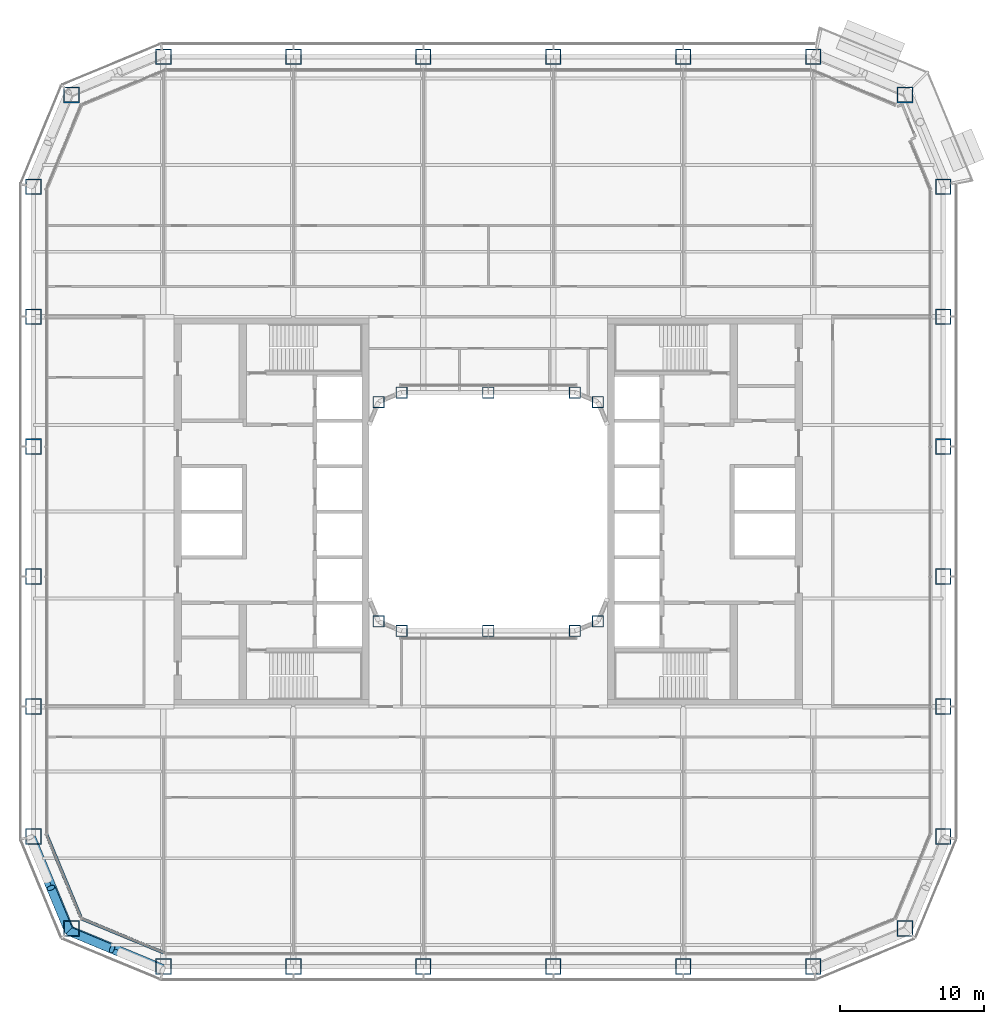
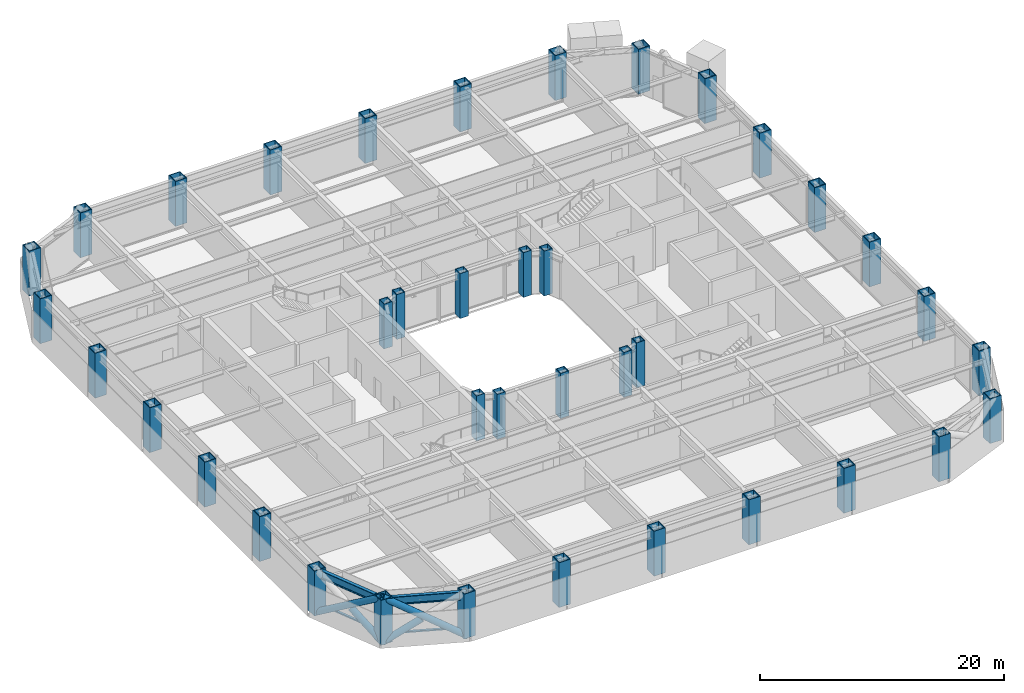
# One storey, part 1 of 30: 38 columns, 6 members, 2 beams, 2 elements without a shape of their own.
"""IFC4 building model written with IfcOpenShell, lengths in metres."""

from ifc_helpers import new_model, si_unit, direction, frame, origin, origin_2d, place, context, subcontext, project, spatial, rectangle, hollow_rectangle, hollow_circle, i_section, extrude, material, layer, layer_set, material_profile, profile_set, type_object, element, aggregate, save


model = new_model("IFC4")

# Units and contexts
model_context = context("Model", 3, precision=1e-05, world=origin(), true_north=direction((0.0, 1.0)))
body_context = subcontext(model_context, "Body", "Model", "MODEL_VIEW")
ifc_project = project(units=[si_unit("LENGTHUNIT", "METRE"), si_unit("AREAUNIT", "SQUARE_METRE"), si_unit("VOLUMEUNIT", "CUBIC_METRE"), si_unit("PLANEANGLEUNIT", "RADIAN"), si_unit("MASSUNIT", "GRAM", prefix="KILO")], contexts=[model_context])

# Site, building, storey
site_placement = place(None, origin())
site = spatial("IfcSite", under=ifc_project, at=site_placement, CompositionType="ELEMENT")
building_placement = place(site_placement, origin())
building = spatial("IfcBuilding", under=site, at=building_placement, Name="Siwar Civic Tower", CompositionType="ELEMENT")
storey_placement = place(building_placement, frame((0.0, 0.0, 26.699951171875)))
storey = spatial("IfcBuildingStorey", under=building, at=storey_placement, Name="L05", CompositionType="ELEMENT", Elevation=26.699951171875)

# Columns
ifc_material_1 = material(Name="Steel S460", Category="steel")
ifc_material_profile_1 = material_profile(ifc_material_1, hollow_rectangle(XDim=1.10009765625, YDim=1.10009765625, WallThickness=0.070068359375, at=origin_2d()), Name="BOX1100x1100x70")
ifc_profile_set_1 = profile_set([ifc_material_profile_1], Name="Steel S460")
column_type_1 = type_object("IfcColumnType", Name="STR-COL-BOX1100x1100x70", PredefinedType="COLUMN", material=ifc_profile_set_1)
for number, where, z_axis, x_axis, name in (
    (1, (-22.5, -31.5, 0.0), (0.0, 0.0, 1.0), (1.0, 0.0, 0.0), "L05/col/S-0"),
    (2, (-13.5, -31.5, 0.0), (0.0, 0.0, 1.0), (1.0, 0.0, 0.0), "L05/col/S-1"),
    (3, (-4.5, -31.5, 0.0), (0.0, 0.0, 1.0), (1.0, 0.0, 0.0), "L05/col/S-2"),
    (4, (4.5, -31.5, 0.0), (0.0, 0.0, 1.0), (1.0, 0.0, 0.0), "L05/col/S-3"),
    (5, (13.5, -31.5, 0.0), (0.0, 0.0, 1.0), (1.0, 0.0, 0.0), "L05/col/S-4"),
    (6, (22.5, -31.5, 0.0), (0.0, 0.0, 1.0), (1.0, 0.0, 0.0), "L05/col/SE1-0"),
    (7, (28.864013671875, -28.864013671875, 0.0), (0.0, 0.0, 1.0), (1.0, 0.0, 0.0), "L05/col/SE2-0"),
    (8, (31.5, -22.5, 0.0), (0.0, 0.0, 1.0), (1.0, 0.0, 0.0), "L05/col/E-0"),
    (9, (31.5, -13.5, 0.0), (0.0, 0.0, 1.0), (1.0, 0.0, 0.0), "L05/col/E-1"),
    (10, (31.5, -4.5, 0.0), (0.0, 0.0, 1.0), (1.0, 0.0, 0.0), "L05/col/E-2"),
    (11, (31.5, 4.5, 0.0), (0.0, 0.0, 1.0), (1.0, 0.0, 0.0), "L05/col/E-3"),
    (12, (31.5, 13.5, 0.0), (0.0, 0.0, 1.0), (1.0, 0.0, 0.0), "L05/col/E-4"),
    (13, (31.5, 22.5, 0.0), (0.0, 0.0, 1.0), (1.0, 0.0, 0.0), "L05/col/NE1-0"),
    (14, (28.864013671875, 28.864013671875, 0.0), (0.0, 0.0, 1.0), (1.0, 0.0, 0.0), "L05/col/NE2-0"),
    (15, (22.5, 31.5, 0.0), (0.0, 0.0, 1.0), (1.0, 0.0, 0.0), "L05/col/N-0"),
    (16, (13.5, 31.5, 0.0), (0.0, 0.0, 1.0), (1.0, 0.0, 0.0), "L05/col/N-1"),
    (17, (4.5, 31.5, 0.0), (0.0, 0.0, 1.0), (1.0, 0.0, 0.0), "L05/col/N-2"),
    (18, (-4.5, 31.5, 0.0), (0.0, 0.0, 1.0), (1.0, 0.0, 0.0), "L05/col/N-3"),
    (19, (-13.5, 31.5, 0.0), (0.0, 0.0, 1.0), (1.0, 0.0, 0.0), "L05/col/N-4"),
    (20, (-22.5, 31.5, 0.0), (0.0, 0.0, 1.0), (1.0, 0.0, 0.0), "L05/col/NW1-0"),
    (21, (-28.864013671875, 28.864013671875, 0.0), (0.0, 0.0, 1.0), (1.0, 0.0, 0.0), "L05/col/NW2-0"),
    (22, (-31.5, 22.5, 0.0), (0.0, 0.0, 1.0), (1.0, 0.0, 0.0), "L05/col/W-0"),
    (23, (-31.5, 13.5, 0.0), (0.0, 0.0, 1.0), (1.0, 0.0, 0.0), "L05/col/W-1"),
    (24, (-31.5, 4.5, 0.0), (0.0, 0.0, 1.0), (1.0, 0.0, 0.0), "L05/col/W-2"),
    (25, (-31.5, -4.5, 0.0), (0.0, 0.0, 1.0), (1.0, 0.0, 0.0), "L05/col/W-3"),
    (26, (-31.5, -13.5, 0.0), (0.0, 0.0, 1.0), (1.0, 0.0, 0.0), "L05/col/W-4"),
    (27, (-31.5, -22.5, 0.0), (0.0, 0.0, 1.0), (1.0, 0.0, 0.0), "L05/col/SW1-0"),
    (28, (-28.864013671875, -28.864013671875, 0.0), (0.0, 0.0, 1.0), (1.0, 0.0, 0.0), "L05/col/SW2-0"),
):
    element("IfcColumn", number, at=place(storey_placement, frame(where, z_axis=z_axis, x_axis=x_axis)), inside=storey, type_object=column_type_1, Name=name, PredefinedType="COLUMN", context=body_context, shape_type="SweptSolid", body=[
        extrude(hollow_rectangle(XDim=1.10009765625, YDim=1.10009765625, WallThickness=0.070068359375, at=origin_2d()), origin(), (0.0, 0.0, 1.0), 4.5),
    ])
ifc_material_2 = material(Name="Steel S355", Category="steel")
ifc_material_profile_2 = material_profile(ifc_material_2, hollow_rectangle(XDim=0.800048828125, YDim=0.800048828125, WallThickness=0.050048828125, at=origin_2d()), Name="BOX800x800x50")
ifc_profile_set_2 = profile_set([ifc_material_profile_2], Name="Steel S355")
column_type_2 = type_object("IfcColumnType", Name="STR-ICOL-BOX800x800x50", PredefinedType="COLUMN", material=ifc_profile_set_2)
for number, where, z_axis, x_axis, name in (
    (29, (-7.591064453125, -7.591064453125, 0.0), (0.0, 0.0, 1.0), (1.0, 0.0, 0.0), "L05/col/IS-0"),
    (30, (-6.0, -8.25, 0.0), (0.0, 0.0, 1.0), (1.0, 0.0, 0.0), "L05/col/IS-1"),
    (31, (0.0, -8.25, 0.0), (0.0, 0.0, 1.0), (1.0, 0.0, 0.0), "L05/col/IS-2"),
    (32, (6.0, -8.25, 0.0), (0.0, 0.0, 1.0), (1.0, 0.0, 0.0), "L05/col/IS-3"),
    (33, (7.591064453125, -7.591064453125, 0.0), (0.0, 0.0, 1.0), (1.0, 0.0, 0.0), "L05/col/IS-4"),
    (34, (-7.591064453125, 7.591064453125, 0.0), (0.0, 0.0, 1.0), (1.0, 0.0, 0.0), "L05/col/IN-0"),
    (35, (-6.0, 8.25, 0.0), (0.0, 0.0, 1.0), (1.0, 0.0, 0.0), "L05/col/IN-1"),
    (36, (0.0, 8.25, 0.0), (0.0, 0.0, 1.0), (1.0, 0.0, 0.0), "L05/col/IN-2"),
    (37, (6.0, 8.25, 0.0), (0.0, 0.0, 1.0), (1.0, 0.0, 0.0), "L05/col/IN-3"),
    (38, (7.591064453125, 7.591064453125, 0.0), (0.0, 0.0, 1.0), (1.0, 0.0, 0.0), "L05/col/IN-4"),
):
    element("IfcColumn", number, at=place(storey_placement, frame(where, z_axis=z_axis, x_axis=x_axis)), inside=storey, type_object=column_type_2, Name=name, PredefinedType="COLUMN", context=body_context, shape_type="SweptSolid", body=[
        extrude(hollow_rectangle(XDim=0.800048828125, YDim=0.800048828125, WallThickness=0.050048828125, at=origin_2d()), origin(), (0.0, 0.0, 1.0), 4.5),
    ])

# Curtain wall, member
ifc_material_3 = material(Name="Aluminium clad insulated panel", Category="aluminium")
ifc_layer = layer(ifc_material_3, 0.219970703125)
ifc_layer_set = layer_set([ifc_layer], Name="Aluminium clad insulated panel")
curtain_wall_type = type_object("IfcCurtainWallType", Name="ENV-CW-AX", PredefinedType="NOTDEFINED", material=ifc_layer_set)
curtain_wall_1_placement = place(storey_placement, origin())
curtain_wall_1 = element("IfcCurtainWall", 39, at=curtain_wall_1_placement, inside=storey, type_object=curtain_wall_type, Name="Curtain wall A SW1", PredefinedType="NOTDEFINED")
ifc_material_4 = material(Name="Aluminium 6063-T6", Category="aluminium")
ifc_material_profile_3 = material_profile(ifc_material_4, rectangle(XDim=0.219970703125, YDim=0.1201171875, at=origin_2d()), Name="AL 220x120")
ifc_profile_set_3 = profile_set([ifc_material_profile_3], Name="Aluminium 6063-T6")
member_type_1 = type_object("IfcMemberType", Name="ENV-TRANSOM-A", PredefinedType="USERDEFINED", material=ifc_profile_set_3)
member_1_placement = place(storey_placement, frame((-30.586669921875, -22.353271484375, 0.06005859375), z_axis=(0.382698415042, -0.923873326341, 0.0), x_axis=(0.923873326341, 0.382698415042, 0.0)))
member_1 = element("IfcMember", 40, at=member_1_placement, type_object=member_type_1, Name="Transom A SW1 1", ObjectType="TRANSOM", PredefinedType="USERDEFINED", context=body_context, shape_type="SweptSolid", body=[
    extrude(rectangle(XDim=0.219970703125, YDim=0.1201171875, at=origin_2d()), origin(), (0.0, 0.0, 1.0), 6.17919921875),
])
aggregate(curtain_wall_1, [member_1])

curtain_wall_2_placement = place(storey_placement, origin())
curtain_wall_2 = element("IfcCurtainWall", 41, at=curtain_wall_2_placement, inside=storey, type_object=curtain_wall_type, Name="Curtain wall A SW2", PredefinedType="NOTDEFINED")
member_2_placement = place(storey_placement, frame((-28.142822265625, -28.1884765625, 0.06005859375), z_axis=(0.923873326341, -0.382698415042, 0.0), x_axis=(0.382698415042, 0.923873326341, 0.0)))
member_2 = element("IfcMember", 42, at=member_2_placement, type_object=member_type_1, Name="Transom A SW2 1", ObjectType="TRANSOM", PredefinedType="USERDEFINED", context=body_context, shape_type="SweptSolid", body=[
    extrude(rectangle(XDim=0.219970703125, YDim=0.1201171875, at=origin_2d()), origin(), (0.0, 0.0, 1.0), 6.17919921875),
])
aggregate(curtain_wall_2, [member_2])

# Members
ifc_material_5 = material(Name="Steel S355", Category="steel")
ifc_material_profile_4 = material_profile(ifc_material_5, hollow_circle(Radius=0.304931640625, WallThickness=0.030029296875, at=origin_2d()), Name="CHS610x30")
ifc_profile_set_4 = profile_set([ifc_material_profile_4], Name="Steel S355")
member_type_2 = type_object("IfcMemberType", Name="STR-BR-CHS610x30", PredefinedType="BRACE", material=ifc_profile_set_4)
member_3_placement = place(storey_placement, frame((-22.548828125, -31.7451171875, 0.0), z_axis=(-0.777554562952, 0.323905527954, 0.538975055633), x_axis=(-0.384538969033, -0.923108759191, 0.0)))
element("IfcMember", 43, at=member_3_placement, inside=storey, type_object=member_type_2, Name="L05/brc/ASW1-4-0-1", PredefinedType="BRACE", context=body_context, shape_type="SweptSolid", body=[
    extrude(hollow_circle(Radius=0.304931640625, WallThickness=0.030029296875, at=origin_2d()), origin(), (0.0, 0.0, 1.0), 8.34912109375),
])
member_4_placement = place(storey_placement, frame((-29.040771484375, -29.040771484375, 0.0), z_axis=(0.777542179573, -0.323922979564, 0.53898243227), x_axis=(0.384561842466, 0.923099230484, 0.0)))
element("IfcMember", 44, at=member_4_placement, inside=storey, type_object=member_type_2, Name="L05/brc/ASW1-4-0-2", PredefinedType="BRACE", context=body_context, shape_type="SweptSolid", body=[
    extrude(hollow_circle(Radius=0.304931640625, WallThickness=0.030029296875, at=origin_2d()), origin(), (0.0, 0.0, 1.0), 3.84375),
])
member_5_placement = place(storey_placement, frame((-31.7451171875, -22.548828125, 0.0), z_axis=(0.323905527954, -0.777554562952, 0.538975055633), x_axis=(0.923108759191, 0.384538969033, 0.0)))
element("IfcMember", 45, at=member_5_placement, inside=storey, type_object=member_type_2, Name="L05/brc/ASW1-4-0-0", PredefinedType="BRACE", context=body_context, shape_type="SweptSolid", body=[
    extrude(hollow_circle(Radius=0.304931640625, WallThickness=0.030029296875, at=origin_2d()), origin(), (0.0, 0.0, 1.0), 8.34912109375),
])
member_6_placement = place(storey_placement, frame((-29.040771484375, -29.040771484375, 0.0), z_axis=(-0.323922979564, 0.777542179573, 0.53898243227), x_axis=(-0.923099230484, -0.384561842466, 0.0)))
element("IfcMember", 46, at=member_6_placement, inside=storey, type_object=member_type_2, Name="L05/brc/ASW1-4-0-4", PredefinedType="BRACE", context=body_context, shape_type="SweptSolid", body=[
    extrude(hollow_circle(Radius=0.304931640625, WallThickness=0.030029296875, at=origin_2d()), origin(), (0.0, 0.0, 1.0), 3.84375),
])

# Beams
ifc_material_6 = material(Name="Steel S355", Category="steel")
ifc_material_profile_5 = material_profile(ifc_material_6, i_section(OverallWidth=0.302978515625, OverallDepth=0.81396484375, WebThickness=0.02099609375, FlangeThickness=0.0400390625, FilletRadius=0.030029296875, at=origin_2d()), Name="HEM800")
ifc_profile_set_5 = profile_set([ifc_material_profile_5], Name="Steel S355")
beam_type = type_object("IfcBeamType", Name="STR-SB-HEM800", PredefinedType="BEAM", material=ifc_profile_set_5)
for number, where, z_axis, x_axis, name in (
    (47, (-31.5, -22.5, 3.943115234375), (0.382674207535, -0.923883353507, 0.0), (0.923883353507, 0.382674207535, 0.0), "L05/bm/SSW1-0"),
    (48, (-28.864013671875, -28.864013671875, 3.943115234375), (0.923883353507, -0.382674207535, 0.0), (0.382674207535, 0.923883353507, 0.0), "L05/bm/SSW2-0"),
):
    element("IfcBeam", number, at=place(storey_placement, frame(where, z_axis=z_axis, x_axis=x_axis)), inside=storey, type_object=beam_type, Name=name, PredefinedType="BEAM", context=body_context, shape_type="SweptSolid", body=[
        extrude(i_section(OverallWidth=0.302978515625, OverallDepth=0.81396484375, WebThickness=0.02099609375, FlangeThickness=0.0400390625, FilletRadius=0.030029296875, at=origin_2d()), origin(), (0.0, 0.0, 1.0), 6.888427734375),
    ])

save(model, "model.ifc")
